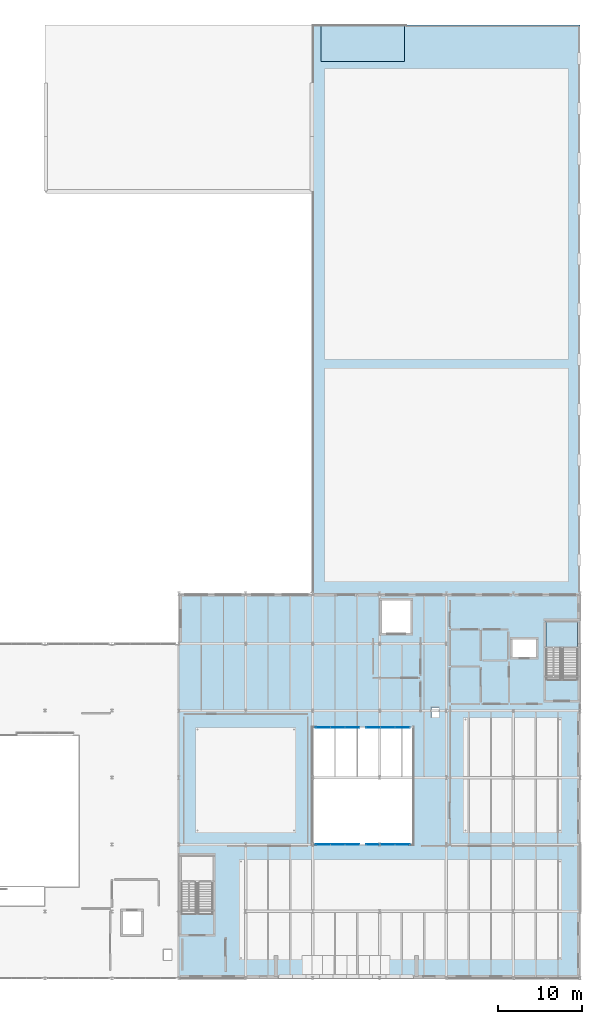
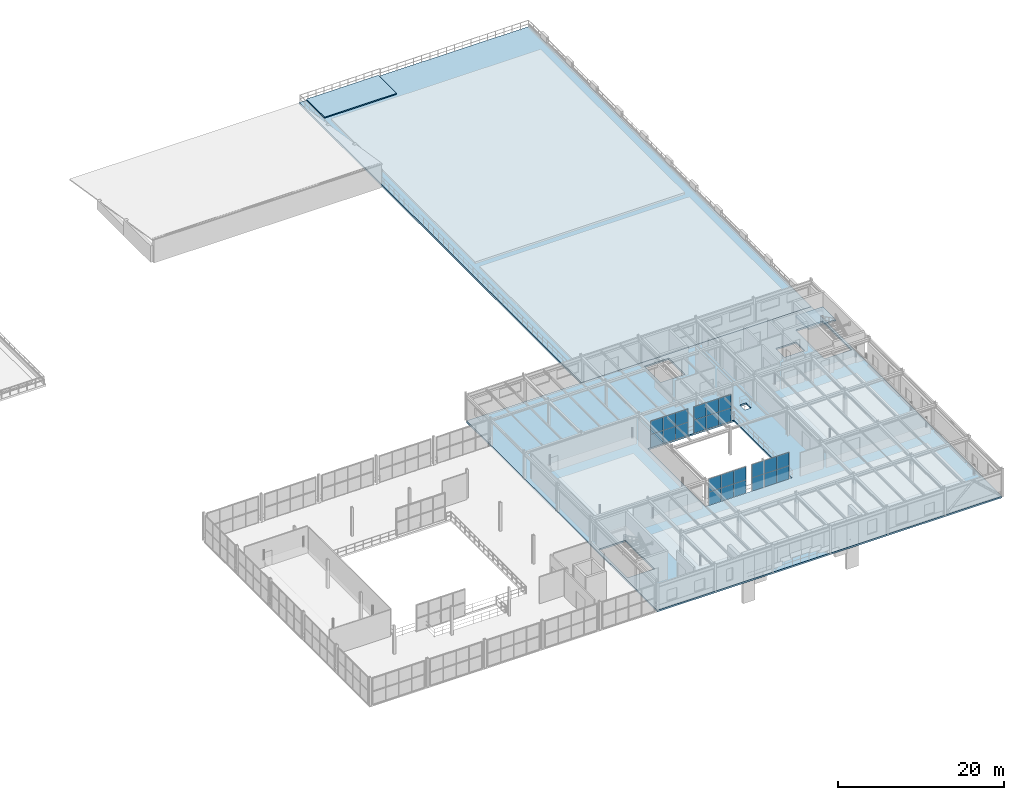
# One storey, part 34 of 67: 24 plates, 4 slabs, 5 elements without a shape of their own.
"""IFC4 building model written with IfcOpenShell, lengths in metres."""

from ifc_helpers import new_model, si_unit, direction, frame, origin, origin_2d, place, context, subcontext, project, spatial, polyline, rectangle, outline, extrude, material, layer, layer_set, type_object, element, aggregate, save


model = new_model("IFC4")

# Units and contexts
model_context = context("Model", 3, precision=1e-05, world=origin(), true_north=direction((0.0, 1.0)))
body_context = subcontext(model_context, "Body", "Model", "MODEL_VIEW")
ifc_project = project(units=[si_unit("LENGTHUNIT", "METRE"), si_unit("AREAUNIT", "SQUARE_METRE"), si_unit("VOLUMEUNIT", "CUBIC_METRE"), si_unit("PLANEANGLEUNIT", "RADIAN"), si_unit("MASSUNIT", "GRAM", prefix="KILO")], contexts=[model_context])

# Site, building, storey
site_placement = place(None, origin())
site = spatial("IfcSite", under=ifc_project, at=site_placement, CompositionType="ELEMENT")
building_placement = place(site_placement, origin())
building = spatial("IfcBuilding", under=site, at=building_placement, Name="Sundkrona Museum", CompositionType="ELEMENT")
storey_placement = place(building_placement, frame((0.0, 0.0, 21.800048828125)))
storey = spatial("IfcBuildingStorey", under=building, at=storey_placement, Name="L04", CompositionType="ELEMENT", Elevation=21.800048828125)

# Curtain wall, plates
ifc_material_1 = material(Name="Unitised Aluminium-Steel and Ceramic-Clad Curtain Walling", Category="steel")
curtain_wall_type = type_object("IfcCurtainWallType", Name="CW-SC-52x38", PredefinedType="NOTDEFINED", material=ifc_material_1)
curtain_wall_1_placement = place(storey_placement, origin())
curtain_wall_1 = element("IfcCurtainWall", 1, at=curtain_wall_1_placement, inside=storey, type_object=curtain_wall_type, Name="L04 Curtain Wall CW-L04-013", PredefinedType="NOTDEFINED")
ifc_material_2 = material(Name="Triple Low-E Vision Glazing 32 mm", Category="glass")
ifc_layer_1 = layer(ifc_material_2, 0.031982421875)
ifc_layer_set_1 = layer_set([ifc_layer_1], Name="Triple Low-E Vision Glazing 32 mm")
plate_type = type_object("IfcPlateType", Name="PN-GL-01", PredefinedType="CURTAIN_PANEL", material=ifc_layer_set_1)
plate_1_placement = place(storey_placement, frame((137.2666015625, 16.0, -0.00390625), z_axis=(0.0, 0.0, 1.0), x_axis=(1.0, 0.0, 0.0)))
plate_1 = element("IfcPlate", 2, at=plate_1_placement, type_object=plate_type, Name="CW-L04-013 Panel 01", PredefinedType="CURTAIN_PANEL", context=body_context, shape_type="SweptSolid", body=[
    extrude(rectangle(XDim=1.7333984375, YDim=0.031982421875, at=origin_2d()), origin(), (0.0, 0.0, 1.0), 1.964111328125),
])
plate_2_placement = place(storey_placement, frame((137.2666015625, 16.0, 1.9599609375), z_axis=(0.0, 0.0, 1.0), x_axis=(1.0, 0.0, 0.0)))
plate_2 = element("IfcPlate", 3, at=plate_2_placement, type_object=plate_type, Name="CW-L04-013 Panel 02", PredefinedType="CURTAIN_PANEL", context=body_context, shape_type="SweptSolid", body=[
    extrude(rectangle(XDim=1.7333984375, YDim=0.031982421875, at=origin_2d()), origin(), (0.0, 0.0, 1.0), 1.964111328125),
])
plate_3_placement = place(storey_placement, frame((139.0, 16.0, -0.00390625), z_axis=(0.0, 0.0, 1.0), x_axis=(1.0, 0.0, 0.0)))
plate_3 = element("IfcPlate", 4, at=plate_3_placement, type_object=plate_type, Name="CW-L04-013 Panel 03", PredefinedType="CURTAIN_PANEL", context=body_context, shape_type="SweptSolid", body=[
    extrude(rectangle(XDim=1.7333984375, YDim=0.031982421875, at=origin_2d()), origin(), (0.0, 0.0, 1.0), 1.964111328125),
])
plate_4_placement = place(storey_placement, frame((139.0, 16.0, 1.9599609375), z_axis=(0.0, 0.0, 1.0), x_axis=(1.0, 0.0, 0.0)))
plate_4 = element("IfcPlate", 5, at=plate_4_placement, type_object=plate_type, Name="CW-L04-013 Panel 04", PredefinedType="CURTAIN_PANEL", context=body_context, shape_type="SweptSolid", body=[
    extrude(rectangle(XDim=1.7333984375, YDim=0.031982421875, at=origin_2d()), origin(), (0.0, 0.0, 1.0), 1.964111328125),
])
plate_5_placement = place(storey_placement, frame((140.7333984375, 16.0, -0.00390625), z_axis=(0.0, 0.0, 1.0), x_axis=(1.0, 0.0, 0.0)))
plate_5 = element("IfcPlate", 6, at=plate_5_placement, type_object=plate_type, Name="CW-L04-013 Panel 05", PredefinedType="CURTAIN_PANEL", context=body_context, shape_type="SweptSolid", body=[
    extrude(rectangle(XDim=1.7333984375, YDim=0.031982421875, at=origin_2d()), origin(), (0.0, 0.0, 1.0), 1.964111328125),
])
plate_6_placement = place(storey_placement, frame((140.7333984375, 16.0, 1.9599609375), z_axis=(0.0, 0.0, 1.0), x_axis=(1.0, 0.0, 0.0)))
plate_6 = element("IfcPlate", 7, at=plate_6_placement, type_object=plate_type, Name="CW-L04-013 Panel 06", PredefinedType="CURTAIN_PANEL", context=body_context, shape_type="SweptSolid", body=[
    extrude(rectangle(XDim=1.7333984375, YDim=0.031982421875, at=origin_2d()), origin(), (0.0, 0.0, 1.0), 1.964111328125),
])
aggregate(curtain_wall_1, [plate_1, plate_2, plate_3, plate_4, plate_5, plate_6])

curtain_wall_2_placement = place(storey_placement, origin())
curtain_wall_2 = element("IfcCurtainWall", 8, at=curtain_wall_2_placement, inside=storey, type_object=curtain_wall_type, Name="L04 Curtain Wall CW-L04-014", PredefinedType="NOTDEFINED")
plate_7_placement = place(storey_placement, frame((137.2666015625, 30.0, -0.00390625), z_axis=(0.0, 0.0, 1.0), x_axis=(1.0, 0.0, 0.0)))
plate_7 = element("IfcPlate", 9, at=plate_7_placement, type_object=plate_type, Name="CW-L04-014 Panel 01", PredefinedType="CURTAIN_PANEL", context=body_context, shape_type="SweptSolid", body=[
    extrude(rectangle(XDim=1.7333984375, YDim=0.031982421875, at=origin_2d()), origin(), (0.0, 0.0, 1.0), 1.964111328125),
])
plate_8_placement = place(storey_placement, frame((137.2666015625, 30.0, 1.9599609375), z_axis=(0.0, 0.0, 1.0), x_axis=(1.0, 0.0, 0.0)))
plate_8 = element("IfcPlate", 10, at=plate_8_placement, type_object=plate_type, Name="CW-L04-014 Panel 02", PredefinedType="CURTAIN_PANEL", context=body_context, shape_type="SweptSolid", body=[
    extrude(rectangle(XDim=1.7333984375, YDim=0.031982421875, at=origin_2d()), origin(), (0.0, 0.0, 1.0), 1.964111328125),
])
plate_9_placement = place(storey_placement, frame((139.0, 30.0, -0.00390625), z_axis=(0.0, 0.0, 1.0), x_axis=(1.0, 0.0, 0.0)))
plate_9 = element("IfcPlate", 11, at=plate_9_placement, type_object=plate_type, Name="CW-L04-014 Panel 03", PredefinedType="CURTAIN_PANEL", context=body_context, shape_type="SweptSolid", body=[
    extrude(rectangle(XDim=1.7333984375, YDim=0.031982421875, at=origin_2d()), origin(), (0.0, 0.0, 1.0), 1.964111328125),
])
plate_10_placement = place(storey_placement, frame((139.0, 30.0, 1.9599609375), z_axis=(0.0, 0.0, 1.0), x_axis=(1.0, 0.0, 0.0)))
plate_10 = element("IfcPlate", 12, at=plate_10_placement, type_object=plate_type, Name="CW-L04-014 Panel 04", PredefinedType="CURTAIN_PANEL", context=body_context, shape_type="SweptSolid", body=[
    extrude(rectangle(XDim=1.7333984375, YDim=0.031982421875, at=origin_2d()), origin(), (0.0, 0.0, 1.0), 1.964111328125),
])
plate_11_placement = place(storey_placement, frame((140.7333984375, 30.0, -0.00390625), z_axis=(0.0, 0.0, 1.0), x_axis=(1.0, 0.0, 0.0)))
plate_11 = element("IfcPlate", 13, at=plate_11_placement, type_object=plate_type, Name="CW-L04-014 Panel 05", PredefinedType="CURTAIN_PANEL", context=body_context, shape_type="SweptSolid", body=[
    extrude(rectangle(XDim=1.7333984375, YDim=0.031982421875, at=origin_2d()), origin(), (0.0, 0.0, 1.0), 1.964111328125),
])
plate_12_placement = place(storey_placement, frame((140.7333984375, 30.0, 1.9599609375), z_axis=(0.0, 0.0, 1.0), x_axis=(1.0, 0.0, 0.0)))
plate_12 = element("IfcPlate", 14, at=plate_12_placement, type_object=plate_type, Name="CW-L04-014 Panel 06", PredefinedType="CURTAIN_PANEL", context=body_context, shape_type="SweptSolid", body=[
    extrude(rectangle(XDim=1.7333984375, YDim=0.031982421875, at=origin_2d()), origin(), (0.0, 0.0, 1.0), 1.964111328125),
])
aggregate(curtain_wall_2, [plate_7, plate_8, plate_9, plate_10, plate_11, plate_12])

curtain_wall_3_placement = place(storey_placement, origin())
curtain_wall_3 = element("IfcCurtainWall", 15, at=curtain_wall_3_placement, inside=storey, type_object=curtain_wall_type, Name="L04 Curtain Wall CW-L04-015", PredefinedType="NOTDEFINED")
plate_13_placement = place(storey_placement, frame((143.2666015625, 16.0, -0.00390625), z_axis=(0.0, 0.0, 1.0), x_axis=(1.0, 0.0, 0.0)))
plate_13 = element("IfcPlate", 16, at=plate_13_placement, type_object=plate_type, Name="CW-L04-015 Panel 01", PredefinedType="CURTAIN_PANEL", context=body_context, shape_type="SweptSolid", body=[
    extrude(rectangle(XDim=1.7333984375, YDim=0.031982421875, at=origin_2d()), origin(), (0.0, 0.0, 1.0), 1.964111328125),
])
plate_14_placement = place(storey_placement, frame((143.2666015625, 16.0, 1.9599609375), z_axis=(0.0, 0.0, 1.0), x_axis=(1.0, 0.0, 0.0)))
plate_14 = element("IfcPlate", 17, at=plate_14_placement, type_object=plate_type, Name="CW-L04-015 Panel 02", PredefinedType="CURTAIN_PANEL", context=body_context, shape_type="SweptSolid", body=[
    extrude(rectangle(XDim=1.7333984375, YDim=0.031982421875, at=origin_2d()), origin(), (0.0, 0.0, 1.0), 1.964111328125),
])
plate_15_placement = place(storey_placement, frame((145.0, 16.0, -0.00390625), z_axis=(0.0, 0.0, 1.0), x_axis=(1.0, 0.0, 0.0)))
plate_15 = element("IfcPlate", 18, at=plate_15_placement, type_object=plate_type, Name="CW-L04-015 Panel 03", PredefinedType="CURTAIN_PANEL", context=body_context, shape_type="SweptSolid", body=[
    extrude(rectangle(XDim=1.7333984375, YDim=0.031982421875, at=origin_2d()), origin(), (0.0, 0.0, 1.0), 1.964111328125),
])
plate_16_placement = place(storey_placement, frame((145.0, 16.0, 1.9599609375), z_axis=(0.0, 0.0, 1.0), x_axis=(1.0, 0.0, 0.0)))
plate_16 = element("IfcPlate", 19, at=plate_16_placement, type_object=plate_type, Name="CW-L04-015 Panel 04", PredefinedType="CURTAIN_PANEL", context=body_context, shape_type="SweptSolid", body=[
    extrude(rectangle(XDim=1.7333984375, YDim=0.031982421875, at=origin_2d()), origin(), (0.0, 0.0, 1.0), 1.964111328125),
])
plate_17_placement = place(storey_placement, frame((146.7333984375, 16.0, -0.00390625), z_axis=(0.0, 0.0, 1.0), x_axis=(1.0, 0.0, 0.0)))
plate_17 = element("IfcPlate", 20, at=plate_17_placement, type_object=plate_type, Name="CW-L04-015 Panel 05", PredefinedType="CURTAIN_PANEL", context=body_context, shape_type="SweptSolid", body=[
    extrude(rectangle(XDim=1.7333984375, YDim=0.031982421875, at=origin_2d()), origin(), (0.0, 0.0, 1.0), 1.964111328125),
])
plate_18_placement = place(storey_placement, frame((146.7333984375, 16.0, 1.9599609375), z_axis=(0.0, 0.0, 1.0), x_axis=(1.0, 0.0, 0.0)))
plate_18 = element("IfcPlate", 21, at=plate_18_placement, type_object=plate_type, Name="CW-L04-015 Panel 06", PredefinedType="CURTAIN_PANEL", context=body_context, shape_type="SweptSolid", body=[
    extrude(rectangle(XDim=1.7333984375, YDim=0.031982421875, at=origin_2d()), origin(), (0.0, 0.0, 1.0), 1.964111328125),
])
aggregate(curtain_wall_3, [plate_13, plate_14, plate_15, plate_16, plate_17, plate_18])

curtain_wall_4_placement = place(storey_placement, origin())
curtain_wall_4 = element("IfcCurtainWall", 22, at=curtain_wall_4_placement, inside=storey, type_object=curtain_wall_type, Name="L04 Curtain Wall CW-L04-016", PredefinedType="NOTDEFINED")
plate_19_placement = place(storey_placement, frame((143.2666015625, 30.0, -0.00390625), z_axis=(0.0, 0.0, 1.0), x_axis=(1.0, 0.0, 0.0)))
plate_19 = element("IfcPlate", 23, at=plate_19_placement, type_object=plate_type, Name="CW-L04-016 Panel 01", PredefinedType="CURTAIN_PANEL", context=body_context, shape_type="SweptSolid", body=[
    extrude(rectangle(XDim=1.7333984375, YDim=0.031982421875, at=origin_2d()), origin(), (0.0, 0.0, 1.0), 1.964111328125),
])
plate_20_placement = place(storey_placement, frame((143.2666015625, 30.0, 1.9599609375), z_axis=(0.0, 0.0, 1.0), x_axis=(1.0, 0.0, 0.0)))
plate_20 = element("IfcPlate", 24, at=plate_20_placement, type_object=plate_type, Name="CW-L04-016 Panel 02", PredefinedType="CURTAIN_PANEL", context=body_context, shape_type="SweptSolid", body=[
    extrude(rectangle(XDim=1.7333984375, YDim=0.031982421875, at=origin_2d()), origin(), (0.0, 0.0, 1.0), 1.964111328125),
])
plate_21_placement = place(storey_placement, frame((145.0, 30.0, -0.00390625), z_axis=(0.0, 0.0, 1.0), x_axis=(1.0, 0.0, 0.0)))
plate_21 = element("IfcPlate", 25, at=plate_21_placement, type_object=plate_type, Name="CW-L04-016 Panel 03", PredefinedType="CURTAIN_PANEL", context=body_context, shape_type="SweptSolid", body=[
    extrude(rectangle(XDim=1.7333984375, YDim=0.031982421875, at=origin_2d()), origin(), (0.0, 0.0, 1.0), 1.964111328125),
])
plate_22_placement = place(storey_placement, frame((145.0, 30.0, 1.9599609375), z_axis=(0.0, 0.0, 1.0), x_axis=(1.0, 0.0, 0.0)))
plate_22 = element("IfcPlate", 26, at=plate_22_placement, type_object=plate_type, Name="CW-L04-016 Panel 04", PredefinedType="CURTAIN_PANEL", context=body_context, shape_type="SweptSolid", body=[
    extrude(rectangle(XDim=1.7333984375, YDim=0.031982421875, at=origin_2d()), origin(), (0.0, 0.0, 1.0), 1.964111328125),
])
plate_23_placement = place(storey_placement, frame((146.7333984375, 30.0, -0.00390625), z_axis=(0.0, 0.0, 1.0), x_axis=(1.0, 0.0, 0.0)))
plate_23 = element("IfcPlate", 27, at=plate_23_placement, type_object=plate_type, Name="CW-L04-016 Panel 05", PredefinedType="CURTAIN_PANEL", context=body_context, shape_type="SweptSolid", body=[
    extrude(rectangle(XDim=1.7333984375, YDim=0.031982421875, at=origin_2d()), origin(), (0.0, 0.0, 1.0), 1.964111328125),
])
plate_24_placement = place(storey_placement, frame((146.7333984375, 30.0, 1.9599609375), z_axis=(0.0, 0.0, 1.0), x_axis=(1.0, 0.0, 0.0)))
plate_24 = element("IfcPlate", 28, at=plate_24_placement, type_object=plate_type, Name="CW-L04-016 Panel 06", PredefinedType="CURTAIN_PANEL", context=body_context, shape_type="SweptSolid", body=[
    extrude(rectangle(XDim=1.7333984375, YDim=0.031982421875, at=origin_2d()), origin(), (0.0, 0.0, 1.0), 1.964111328125),
])
aggregate(curtain_wall_4, [plate_19, plate_20, plate_21, plate_22, plate_23, plate_24])

# Slabs
ifc_material_3 = material(Name="Concrete C35/45", Category="concrete")
ifc_layer_2 = layer(ifc_material_3, 0.239990234375)
ifc_layer_set_2 = layer_set([ifc_layer_2], Name="Concrete C35/45")
slab_type_1 = type_object("IfcSlabType", Name="SL-FL-240", PredefinedType="FLOOR", material=ifc_layer_set_2)
slab_1_placement = place(storey_placement, frame((0.0, 0.0, -0.239990234375)))
element("IfcSlab", 29, at=slab_1_placement, inside=storey, type_object=slab_type_1, Name="L04 Standard composite gallery floor slab 240 mm (SL-L04-V1)", PredefinedType="FLOOR", context=body_context, shape_type="SweptSolid", body=[
    extrude(outline(polyline([(120.0, 0.0), (168.0, 0.0), (168.0, 46.0), (120.0, 46.0), (120.0, 0.0)]), holes=[polyline([(167.675048828125, 42.675048828125), (167.675048828125, 35.72509765625), (163.925048828125, 35.72509765625), (163.925048828125, 42.675048828125), (167.675048828125, 42.675048828125)]), polyline([(159.89990234375, 40.5), (162.699951171875, 40.5), (162.699951171875, 38.39990234375), (159.89990234375, 38.39990234375), (159.89990234375, 40.5)]), polyline([(150.199951171875, 32.39990234375), (151.10009765625, 32.39990234375), (151.10009765625, 31.199951171875), (150.199951171875, 31.199951171875), (150.199951171875, 32.39990234375)]), polyline([(136.0, 30.0), (148.0, 30.0), (148.0, 16.0), (136.0, 16.0), (136.0, 30.0)]), polyline([(144.300048828125, 45.199951171875), (147.699951171875, 45.199951171875), (147.699951171875, 41.300048828125), (144.300048828125, 41.300048828125), (144.300048828125, 45.199951171875)]), polyline([(124.074951171875, 14.675048828125), (124.074951171875, 7.72509765625), (120.324951171875, 7.72509765625), (120.324951171875, 14.675048828125), (124.074951171875, 14.675048828125)])]), origin(), (0.0, 0.0, 1.0), 0.239990234375),
])
ifc_layer_3 = layer(ifc_material_3, 0.300048828125)
ifc_layer_set_3 = layer_set([ifc_layer_3], Name="Concrete C35/45")
slab_type_2 = type_object("IfcSlabType", Name="SL-GD-300", PredefinedType="FLOOR", material=ifc_layer_set_3)
slab_2_placement = place(storey_placement, frame((0.0, 0.0, -0.300048828125)))
element("IfcSlab", 30, at=slab_2_placement, inside=storey, type_object=slab_type_2, Name="L04 Planted roof-garden waterproofed structural deck 300 mm (SL-L04-TR5)", PredefinedType="FLOOR", context=body_context, shape_type="SweptSolid", body=[
    extrude(outline(polyline([(136.0, 46.0), (168.0, 46.0), (168.0, 114.0), (136.0, 114.0), (136.0, 46.0)])), origin(), (0.0, 0.0, 1.0), 0.300048828125),
])

# Stair, slab
stair_type = type_object("IfcStairType", Name="ST-DL-420", PredefinedType="HALF_TURN_STAIR", material=ifc_material_3)
stair_placement = place(storey_placement, origin())
stair = element("IfcStair", 31, at=stair_placement, inside=storey, type_object=stair_type, Name="L04 Protected Stair Core ST-1", PredefinedType="HALF_TURN_STAIR")
ifc_layer_4 = layer(ifc_material_3, 0.219970703125)
ifc_layer_set_4 = layer_set([ifc_layer_4], Name="Concrete C35/45")
slab_type_3 = type_object("IfcSlabType", Name="SL-LN-220", PredefinedType="LANDING", material=ifc_layer_set_4)
slab_3_placement = place(storey_placement, frame((0.0, 0.0, 1.8798828125)))
slab_3 = element("IfcSlab", 32, at=slab_3_placement, type_object=slab_type_3, Name="L04 Protected Stair Core ST-1 Landing 1", PredefinedType="LANDING", context=body_context, shape_type="SweptSolid", body=[
    extrude(outline(polyline([(167.699951171875, 39.534912109375), (167.699951171875, 42.699951171875), (163.89990234375, 42.699951171875), (163.89990234375, 39.534912109375), (167.699951171875, 39.534912109375)])), origin(), (0.0, 0.0, 1.0), 0.219970703125),
])
aggregate(stair, [slab_3])

# Slab
ifc_layer_5 = layer(ifc_material_3, 0.159912109375)
ifc_layer_set_5 = layer_set([ifc_layer_5], Name="Concrete C35/45")
slab_type_4 = type_object("IfcSlabType", Name="SL-RF-160", PredefinedType="ROOF", material=ifc_layer_set_5)
slab_4_placement = place(storey_placement, origin())
element("IfcSlab", 33, at=slab_4_placement, inside=storey, type_object=slab_type_4, Name="Core ST-5 Stair Shaft Roof Cap Slab", PredefinedType="ROOF", context=body_context, shape_type="SweptSolid", body=[
    extrude(outline(polyline([(137.0, 109.60009765625), (147.0, 109.60009765625), (147.0, 114.0), (137.0, 114.0), (137.0, 109.60009765625)])), origin(), (0.0, 0.0, 1.0), 0.159912109375),
])

save(model, "model.ifc")
